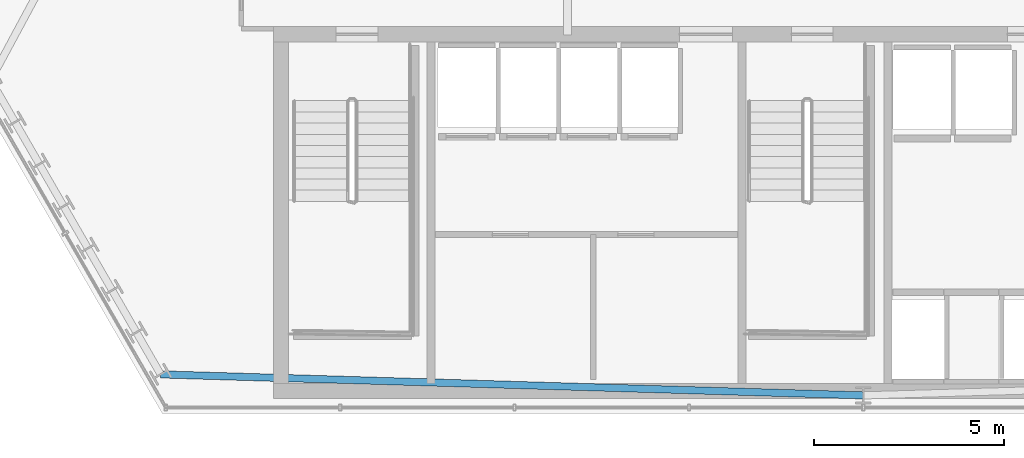
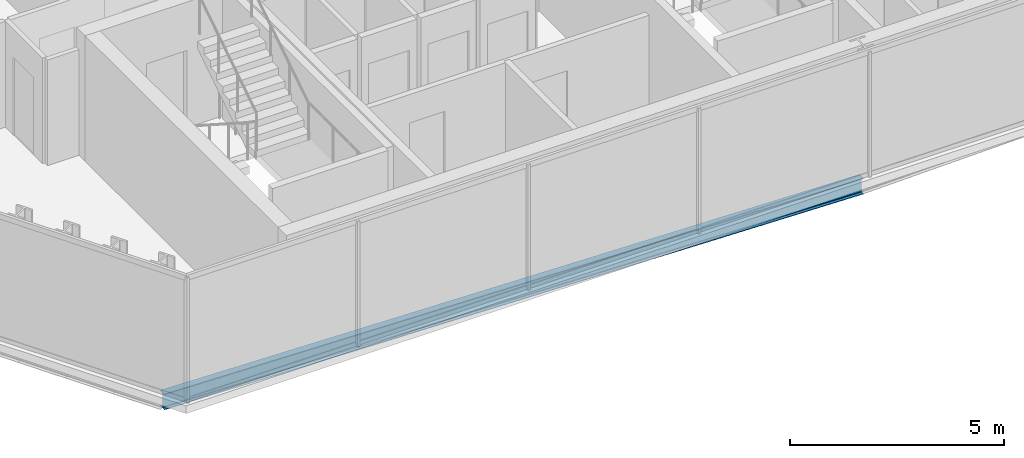
# One storey, part 3 of 33: 1 beam.
"""IFC4 building model written with IfcOpenShell, lengths in metres."""

from ifc_helpers import new_model, si_unit, direction, frame, origin, origin_2d, place, context, subcontext, project, spatial, i_section, extrude, material, material_profile, profile_set, type_object, element, save


model = new_model("IFC4")

# Units and contexts
model_context = context("Model", 3, precision=1e-05, world=origin(), true_north=direction((0.0, 1.0)))
body_context = subcontext(model_context, "Body", "Model", "MODEL_VIEW")
ifc_project = project(units=[si_unit("LENGTHUNIT", "METRE"), si_unit("AREAUNIT", "SQUARE_METRE"), si_unit("VOLUMEUNIT", "CUBIC_METRE"), si_unit("PLANEANGLEUNIT", "RADIAN"), si_unit("MASSUNIT", "GRAM", prefix="KILO")], contexts=[model_context])

# Site, building, storey
site_placement = place(None, origin())
site = spatial("IfcSite", under=ifc_project, at=site_placement, CompositionType="ELEMENT")
building_placement = place(site_placement, origin())
building = spatial("IfcBuilding", under=site, at=building_placement, Name="Ndaravel Arena Tower", CompositionType="ELEMENT")
storey_placement = place(building_placement, frame((0.0, 0.0, 161.199951171875)))
storey = spatial("IfcBuildingStorey", under=building, at=storey_placement, Name="L38", CompositionType="ELEMENT", Elevation=161.199951171875)

# Beam
ifc_material = material(Name="Steel S355", Category="steel")
ifc_material_profile = material_profile(ifc_material, i_section(OverallWidth=0.18994140625, OverallDepth=0.449951171875, WebThickness=0.009521484375, FlangeThickness=0.0146484375, FilletRadius=0.02099609375, at=origin_2d()), Name="IPE 450")
ifc_profile_set = profile_set([ifc_material_profile], Name="Steel S355")
beam_type = type_object("IfcBeamType", Name="BM-SPAN-IPE450", PredefinedType="SPANDREL", material=ifc_profile_set)
beam_placement = place(storey_placement, frame((23.47412109375, 6.0341796875, -0.445068359375), z_axis=(0.999552850435, -0.029901491401, 0.0), x_axis=(0.029901491401, 0.999552850435, 0.0)))
element("IfcBeam", 1, at=beam_placement, inside=storey, type_object=beam_type, Name="L38 Perimeter Spandrel Beam SP-27", PredefinedType="SPANDREL", context=body_context, shape_type="SweptSolid", body=[
    extrude(i_section(OverallWidth=0.18994140625, OverallDepth=0.449951171875, WebThickness=0.009521484375, FlangeThickness=0.0146484375, FilletRadius=0.02099609375, at=origin_2d()), origin(), (0.0, 0.0, 1.0), 18.5341796875),
])

save(model, "model.ifc")
